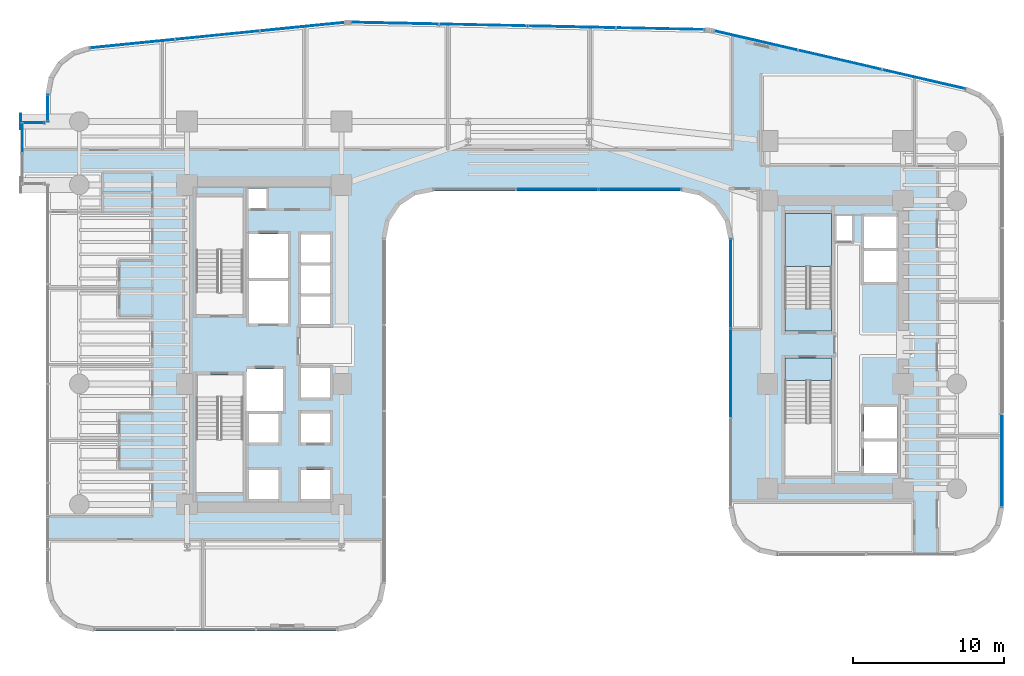
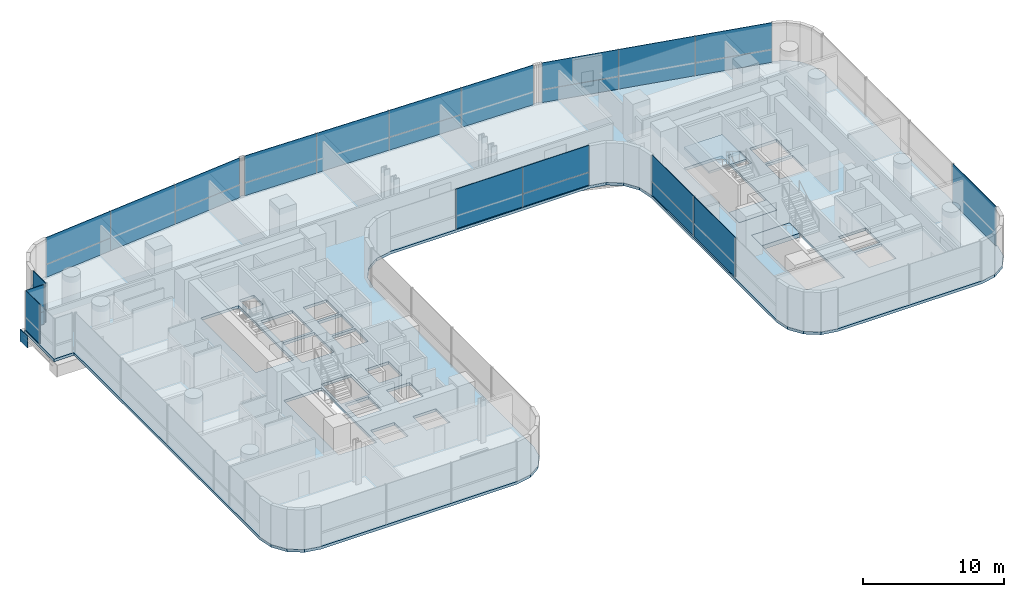
# One storey, part 30 of 40: 29 plates, 4 slabs, 10 elements without a shape of their own.
"""IFC4 building model written with IfcOpenShell, lengths in metres."""

from ifc_helpers import new_model, si_unit, direction, frame, origin, origin_2d, place, context, subcontext, project, spatial, polyline, rectangle, outline, extrude, source, transform, mapped, material, layer, layer_set, type_object, element, aggregate, save


model = new_model("IFC4")

# Units and contexts
model_context = context("Model", 3, precision=1e-05, world=origin(), true_north=direction((0.0, 1.0)))
body_context = subcontext(model_context, "Body", "Model", "MODEL_VIEW")
ifc_project = project(units=[si_unit("LENGTHUNIT", "METRE"), si_unit("AREAUNIT", "SQUARE_METRE"), si_unit("VOLUMEUNIT", "CUBIC_METRE"), si_unit("PLANEANGLEUNIT", "RADIAN"), si_unit("MASSUNIT", "GRAM", prefix="KILO")], contexts=[model_context])

# Site, building, storey
site_placement = place(None, origin())
site = spatial("IfcSite", under=ifc_project, at=site_placement, CompositionType="ELEMENT")
building_placement = place(site_placement, origin())
building = spatial("IfcBuilding", under=site, at=building_placement, Name="Valdorenza Pilgrim Sanctuary Tower", CompositionType="ELEMENT")
storey_placement = place(building_placement, frame((0.0, 0.0, 81.5)))
storey = spatial("IfcBuildingStorey", under=building, at=storey_placement, Name="L20", CompositionType="ELEMENT", Elevation=81.5)

# Slab
ifc_material_1 = material(Name="Concrete C40/50", Category="concrete")
ifc_layer_1 = layer(ifc_material_1, 0.239990234375, Name="Concrete C40/50")
ifc_layer_set_1 = layer_set([ifc_layer_1], Name="Concrete C40/50")
slab_type_1 = type_object("IfcSlabType", Name="SLAB-FLR-220", PredefinedType="FLOOR", material=ifc_layer_set_1)
slab_1_placement = place(storey_placement, frame((0.0, 0.0, -0.239990234375)))
element("IfcSlab", 1, at=slab_1_placement, inside=storey, type_object=slab_type_1, Name="L20 Structural Floor Slab 1", PredefinedType="FLOOR", context=body_context, shape_type="SweptSolid", body=[
    extrude(outline(polyline([(-31.785888671875, 17.754638671875), (-31.172607421875, 18.751220703125), (-30.241943359375, 19.460693359375), (-29.118408203125, 19.7880859375), (-12.192138671875, 21.480712890625), (-11.999755859375, 21.494140625), (-11.9033203125, 21.49658203125), (11.66943359375, 21.0068359375), (11.833984375, 20.999267578125), (11.997802734375, 20.983154296875), (12.160888671875, 20.95849609375), (12.322265625, 20.925537109375), (29.01953125, 17.072509765625), (30.00732421875, 16.660888671875), (30.80419921875, 15.946533203125), (31.321044921875, 15.009521484375), (31.5, 13.954345703125), (31.5, -10.800048828125), (31.25634765625, -12.024658203125), (30.562744140625, -13.062744140625), (29.524658203125, -13.75634765625), (28.300048828125, -14.0), (16.5, -14.0), (15.275390625, -13.75634765625), (14.2373046875, -13.062744140625), (13.543701171875, -12.024658203125), (13.300048828125, -10.800048828125), (13.300048828125, 7.0), (13.056396484375, 8.224609375), (12.36279296875, 9.2626953125), (11.32470703125, 9.956298828125), (10.10009765625, 10.199951171875), (-6.300048828125, 10.199951171875), (-7.524658203125, 9.956298828125), (-8.562744140625, 9.2626953125), (-9.25634765625, 8.224609375), (-9.5, 7.0), (-9.5, -15.800048828125), (-9.74365234375, -17.024658203125), (-10.437255859375, -18.062744140625), (-11.475341796875, -18.75634765625), (-12.699951171875, -19.0), (-28.800048828125, -19.0), (-30.024658203125, -18.75634765625), (-31.062744140625, -18.062744140625), (-31.75634765625, -17.024658203125), (-32.0, -15.800048828125), (-32.0, 10.60009765625), (-33.64990234375, 10.60009765625), (-33.64990234375, 14.800048828125), (-32.0, 14.800048828125), (-32.0, 16.60400390625), (-31.785888671875, 17.754638671875)]), holes=[polyline([(-16.60009765625, -10.25), (-16.60009765625, -8.300048828125), (-18.550048828125, -8.300048828125), (-18.550048828125, -10.25), (-16.60009765625, -10.25)]), polyline([(-22.050048828125, -9.800048828125), (-18.93994140625, -9.800048828125), (-18.93994140625, -3.485107421875), (-18.93994140625, -2.0), (-22.050048828125, -2.0), (-22.050048828125, -3.485107421875), (-22.050048828125, -9.800048828125)]), polyline([(-18.550048828125, -6.5), (-16.60009765625, -6.5), (-16.60009765625, -4.60009765625), (-18.550048828125, -4.60009765625), (-18.550048828125, -6.5)]), polyline([(-13.179931640625, -6.5), (-13.179931640625, -4.550048828125), (-15.10009765625, -4.550048828125), (-15.10009765625, -6.5), (-13.179931640625, -6.5)]), polyline([(-18.719970703125, -4.39990234375), (-16.300048828125, -4.39990234375), (-16.300048828125, -1.60009765625), (-18.719970703125, -1.60009765625), (-18.719970703125, -4.39990234375)]), polyline([(-13.179931640625, -3.5), (-13.179931640625, -1.550048828125), (-15.10009765625, -1.550048828125), (-15.10009765625, -3.5), (-13.179931640625, -3.5)]), polyline([(-22.050048828125, 2.0), (-18.93994140625, 2.0), (-18.93994140625, 3.485107421875), (-18.93994140625, 9.800048828125), (-22.050048828125, 9.800048828125), (-22.050048828125, 3.485107421875), (-22.050048828125, 2.0)]), polyline([(-18.550048828125, 1.39990234375), (-15.949951171875, 1.39990234375), (-15.949951171875, 4.22509765625), (-18.550048828125, 4.22509765625), (-18.550048828125, 1.39990234375)]), polyline([(-15.949951171875, 4.425048828125), (-15.949951171875, 7.35009765625), (-18.550048828125, 7.35009765625), (-18.550048828125, 4.425048828125), (-15.949951171875, 4.425048828125)]), polyline([(-15.10009765625, 5.449951171875), (-13.179931640625, 5.449951171875), (-13.179931640625, 7.300048828125), (-15.10009765625, 7.300048828125), (-15.10009765625, 5.449951171875)]), polyline([(-17.360107421875, 9.030029296875), (-17.360107421875, 10.35009765625), (-18.570068359375, 10.35009765625), (-18.570068359375, 9.030029296875), (-17.360107421875, 9.030029296875)]), polyline([(-15.10009765625, -10.25), (-13.179931640625, -10.25), (-13.179931640625, -8.300048828125), (-15.10009765625, -8.300048828125), (-15.10009765625, -10.25)]), polyline([(22.25, -8.5), (24.47998046875, -8.5), (24.47998046875, -6.425048828125), (22.25, -6.425048828125), (22.25, -8.5)]), polyline([(17.0, -2.385009765625), (17.0, -8.699951171875), (20.110107421875, -8.699951171875), (20.110107421875, -2.385009765625), (20.110107421875, -0.89990234375), (17.0, -0.89990234375), (17.0, -2.385009765625)]), polyline([(22.25, -6.22509765625), (24.47998046875, -6.22509765625), (24.47998046875, -4.14990234375), (22.25, -4.14990234375), (22.25, -6.22509765625)]), polyline([(17.0, 0.89990234375), (20.110107421875, 0.89990234375), (20.110107421875, 2.385009765625), (20.110107421875, 8.699951171875), (17.0, 8.699951171875), (17.0, 2.385009765625), (17.0, 0.89990234375)]), polyline([(-15.10009765625, 1.35009765625), (-13.179931640625, 1.35009765625), (-13.179931640625, 3.199951171875), (-15.10009765625, 3.199951171875), (-15.10009765625, 1.35009765625)]), polyline([(-15.10009765625, 3.39990234375), (-13.179931640625, 3.39990234375), (-13.179931640625, 5.25), (-15.10009765625, 5.25), (-15.10009765625, 3.39990234375)]), polyline([(22.25, 4.14990234375), (24.47998046875, 4.14990234375), (24.47998046875, 6.22509765625), (22.25, 6.22509765625), (22.25, 4.14990234375)]), polyline([(22.25, 6.425048828125), (24.47998046875, 6.425048828125), (24.47998046875, 8.5), (22.25, 8.5), (22.25, 6.425048828125)]), polyline([(20.409912109375, 6.860107421875), (21.489990234375, 6.860107421875), (21.489990234375, 8.52001953125), (20.409912109375, 8.52001953125), (20.409912109375, 6.860107421875)])]), origin(), (0.0, 0.0, 1.0), 0.239990234375),
])

# Stair, slab
stair_type = type_object("IfcStairType", Name="STR-DOG-CORE", PredefinedType="HALF_TURN_STAIR", material=ifc_material_1)
stair_placement = place(storey_placement, origin())
stair = element("IfcStair", 2, at=stair_placement, inside=storey, type_object=stair_type, Name="L20 ST-B1", PredefinedType="HALF_TURN_STAIR")
ifc_layer_2 = layer(ifc_material_1, 0.199951171875, Name="Concrete C40/50")
ifc_layer_set_2 = layer_set([ifc_layer_2], Name="Concrete C40/50")
slab_type_2 = type_object("IfcSlabType", Name="SLAB-STL-200", PredefinedType="LANDING", material=ifc_layer_set_2)
slab_2_placement = place(storey_placement, frame((0.0, 0.0, 1.64990234375)))
slab_2 = element("IfcSlab", 3, at=slab_2_placement, type_object=slab_type_2, Name="ST-B1 landing 1", PredefinedType="LANDING", context=body_context, shape_type="SweptSolid", body=[
    extrude(outline(polyline([(20.110107421875, 5.179931640625), (20.110107421875, 8.699951171875), (17.0, 8.699951171875), (17.0, 5.179931640625), (20.110107421875, 5.179931640625)])), origin(), (0.0, 0.0, 1.0), 0.2001953125),
])
aggregate(stair, [slab_2])

# Slabs
ifc_material_2 = material(Name="Concrete C50/60", Category="concrete")
ifc_layer_3 = layer(ifc_material_2, 0.39990234375, Name="Concrete C50/60")
ifc_layer_set_3 = layer_set([ifc_layer_3], Name="Concrete C50/60")
slab_type_3 = type_object("IfcSlabType", Name="SLAB-TRF-400", PredefinedType="FLOOR", material=ifc_layer_set_3)
slab_3_placement = place(storey_placement, frame((0.0, 0.0, -0.360107421875)))
element("IfcSlab", 4, at=slab_3_placement, inside=storey, type_object=slab_type_3, Name="L20 ST-B1 Structural Stair Landing Bearing Slab", PredefinedType="FLOOR", context=body_context, shape_type="SweptSolid", body=[
    extrude(outline(polyline([(17.0, 0.89990234375), (20.110107421875, 0.89990234375), (20.110107421875, 2.385009765625), (17.0, 2.385009765625), (17.0, 0.89990234375)])), origin(), (0.0, 0.0, 1.0), 0.360107421875),
])
slab_4_placement = place(storey_placement, frame((0.0, 0.0, -0.360107421875)))
element("IfcSlab", 5, at=slab_4_placement, inside=storey, type_object=slab_type_3, Name="L20 ST-B2 Structural Stair Landing Bearing Slab", PredefinedType="FLOOR", context=body_context, shape_type="SweptSolid", body=[
    extrude(outline(polyline([(17.0, -2.385009765625), (20.110107421875, -2.385009765625), (20.110107421875, -0.89990234375), (17.0, -0.89990234375), (17.0, -2.385009765625)])), origin(), (0.0, 0.0, 1.0), 0.360107421875),
])

# Plate
ifc_material_3 = material(Name="Steel ASTM A572 Grade 42", Category="steel")
ifc_layer_4 = layer(ifc_material_3, 0.06005859375, Name="Steel ASTM A572 Grade 42")
ifc_layer_set_4 = layer_set([ifc_layer_4], Name="Steel ASTM A572 Grade 42")
plate_type_1 = type_object("IfcPlateType", Name="PLT-CAP-60", PredefinedType="SHEET", material=ifc_layer_set_4)
shared_shape_1 = source(origin(), body_context, "Body", "SweptSolid", [
    extrude(rectangle(XDim=0.06005859375, YDim=1.0400390625, at=origin_2d()), origin(), (0.0, 0.0, 1.0), 1.0400390625),
])
plate_1_placement = place(storey_placement, frame((-33.679931640625, 14.800048828125, -1.260009765625), z_axis=(0.0, 0.0, 1.0), x_axis=(1.0, 0.0, 0.0)))
element("IfcPlate", 6, at=plate_1_placement, inside=storey, type_object=plate_type_1, Name="L20 BOX-WA-L20 Cantilever Tip End Cap N", PredefinedType="SHEET", context=body_context, shape_type="MappedRepresentation", body=[
    mapped(shared_shape_1, transform((0.0, 0.0, 0.0), x_axis=(1.0, 0.0, 0.0), y_axis=(0.0, 1.0, 0.0), z_axis=(0.0, 0.0, 1.0), scale=1.0)),
])

# Curtain wall, plates
ifc_material_4 = material(Name="Curtain-wall IGU glazing", Category="glass")
curtain_wall_type_1 = type_object("IfcCurtainWallType", Name="CW-SYS-02", PredefinedType="NOTDEFINED", material=ifc_material_4)
curtain_wall_1_placement = place(storey_placement, origin())
curtain_wall_1 = element("IfcCurtainWall", 7, at=curtain_wall_1_placement, inside=storey, type_object=curtain_wall_type_1, Name="L20 Curtain Wall CW-L20-1-6", PredefinedType="NOTDEFINED")
ifc_material_5 = material(Name="Honed travertine limestone", Category="masonry")
ifc_layer_5 = layer(ifc_material_5, 0.050048828125, Name="Honed travertine limestone")
ifc_layer_set_5 = layer_set([ifc_layer_5], Name="Honed travertine limestone")
plate_type_2 = type_object("IfcPlateType", Name="CW-SPN-TRV", PredefinedType="USERDEFINED", material=ifc_layer_set_5)
shared_shape_2 = source(origin(), body_context, "Body", "SweptSolid", [
    extrude(rectangle(XDim=5.646484375, YDim=0.06005859375, at=origin_2d()), origin(), (0.0, 0.0, 1.0), 1.10009765625),
])
plate_2_placement = place(storey_placement, frame((-26.2783203125, 19.961669921875, 0.010009765625), z_axis=(0.0, 0.0, 1.0), x_axis=(0.995038220239, 0.099493418189, 0.0)))
plate_2 = element("IfcPlate", 8, at=plate_2_placement, type_object=plate_type_2, Name="CW-L20-1-6 Travertine Spandrel 1", ObjectType="SPANDREL", PredefinedType="USERDEFINED", context=body_context, shape_type="MappedRepresentation", body=[
    mapped(shared_shape_2, transform((0.0, 0.0, 0.0), x_axis=(1.0, 0.0, 0.0), y_axis=(0.0, 1.0, 0.0), z_axis=(0.0, 0.0, 1.0), scale=1.0)),
])
plate_3_placement = place(storey_placement, frame((-15.001220703125, 21.08935546875, 0.010009765625), z_axis=(0.0, 0.0, 1.0), x_axis=(0.995038220239, 0.099493418189, 0.0)))
plate_3 = element("IfcPlate", 9, at=plate_3_placement, type_object=plate_type_2, Name="CW-L20-1-6 Travertine Spandrel 3", ObjectType="SPANDREL", PredefinedType="USERDEFINED", context=body_context, shape_type="MappedRepresentation", body=[
    mapped(shared_shape_2, transform((0.0, 0.0, 0.0), x_axis=(1.0, 0.0, 0.0), y_axis=(0.0, 1.0, 0.0), z_axis=(0.0, 0.0, 1.0), scale=1.0)),
])
ifc_material_6 = material(Name="Ceramic-fritted low-E IGU glazing", Category="glass")
ifc_layer_6 = layer(ifc_material_6, 0.035888671875, Name="Ceramic-fritted low-E IGU glazing")
ifc_layer_set_6 = layer_set([ifc_layer_6], Name="Ceramic-fritted low-E IGU glazing")
plate_type_3 = type_object("IfcPlateType", Name="CW-GLZ-IGU", PredefinedType="USERDEFINED", material=ifc_layer_set_6)
shared_shape_3 = source(origin(), body_context, "Body", "SweptSolid", [
    extrude(rectangle(XDim=5.646484375, YDim=0.050048828125, at=origin_2d()), origin(), (0.0, 0.0, 1.0), 2.320068359375),
])
plate_4_placement = place(storey_placement, frame((-26.2783203125, 19.961669921875, 1.1298828125), z_axis=(0.0, 0.0, 1.0), x_axis=(0.995038220239, 0.099493418189, 0.0)))
plate_4 = element("IfcPlate", 10, at=plate_4_placement, type_object=plate_type_3, Name="CW-L20-1-6 Facade Panel 1", ObjectType="GLAZING", PredefinedType="USERDEFINED", context=body_context, shape_type="MappedRepresentation", body=[
    mapped(shared_shape_3, transform((0.0, 0.0, 0.0), x_axis=(1.0, 0.0, 0.0), y_axis=(0.0, 1.0, 0.0), z_axis=(0.0, 0.0, 1.0), scale=1.0)),
])
plate_5_placement = place(storey_placement, frame((-15.001220703125, 21.08935546875, 1.1298828125), z_axis=(0.0, 0.0, 1.0), x_axis=(0.995038220239, 0.099493418189, 0.0)))
plate_5 = element("IfcPlate", 11, at=plate_5_placement, type_object=plate_type_3, Name="CW-L20-1-6 Facade Panel 3", ObjectType="GLAZING", PredefinedType="USERDEFINED", context=body_context, shape_type="MappedRepresentation", body=[
    mapped(shared_shape_3, transform((0.0, 0.0, 0.0), x_axis=(1.0, 0.0, 0.0), y_axis=(0.0, 1.0, 0.0), z_axis=(0.0, 0.0, 1.0), scale=1.0)),
])
shared_shape_4 = source(origin(), body_context, "Body", "SweptSolid", [
    extrude(rectangle(XDim=5.646484375, YDim=0.050048828125, at=origin_2d()), origin(), (0.0, 0.0, 1.0), 3.43994140625),
])
plate_6_placement = place(storey_placement, frame((-20.6396484375, 20.525634765625, 0.010009765625), z_axis=(0.0, 0.0, 1.0), x_axis=(0.995038220239, 0.099493418189, 0.0)))
plate_6 = element("IfcPlate", 12, at=plate_6_placement, type_object=plate_type_3, Name="CW-L20-1-6 Full-Height Facade Panel 2", ObjectType="GLAZING", PredefinedType="USERDEFINED", context=body_context, shape_type="MappedRepresentation", body=[
    mapped(shared_shape_4, transform((0.0, 0.0, 0.0), x_axis=(1.0, 0.0, 0.0), y_axis=(0.0, 1.0, 0.0), z_axis=(0.0, 0.0, 1.0), scale=1.0)),
])
aggregate(curtain_wall_1, [plate_2, plate_4, plate_6, plate_3, plate_5])

curtain_wall_2_placement = place(storey_placement, origin())
curtain_wall_2 = element("IfcCurtainWall", 13, at=curtain_wall_2_placement, inside=storey, type_object=curtain_wall_type_1, Name="L20 Curtain Wall CW-L20-1-11", PredefinedType="NOTDEFINED")
shared_shape_5 = source(origin(), body_context, "Body", "SweptSolid", [
    extrude(rectangle(XDim=5.849853515625, YDim=0.06005859375, at=origin_2d()), origin(), (0.0, 0.0, 1.0), 1.10009765625),
])
plate_7_placement = place(storey_placement, frame((-8.8740234375, 21.324951171875, 0.010009765625), z_axis=(0.0, 0.0, 1.0), x_axis=(0.999783234613, -0.020820273474, 0.0)))
plate_7 = element("IfcPlate", 14, at=plate_7_placement, type_object=plate_type_2, Name="CW-L20-1-11 Travertine Spandrel 1", ObjectType="SPANDREL", PredefinedType="USERDEFINED", context=body_context, shape_type="MappedRepresentation", body=[
    mapped(shared_shape_5, transform((0.0, 0.0, 0.0), x_axis=(1.0, 0.0, 0.0), y_axis=(0.0, 1.0, 0.0), z_axis=(0.0, 0.0, 1.0), scale=1.0)),
])
plate_8_placement = place(storey_placement, frame((2.86279296875, 21.080322265625, 0.010009765625), z_axis=(0.0, 0.0, 1.0), x_axis=(0.999783234613, -0.020820273474, 0.0)))
plate_8 = element("IfcPlate", 15, at=plate_8_placement, type_object=plate_type_2, Name="CW-L20-1-11 Travertine Spandrel 3", ObjectType="SPANDREL", PredefinedType="USERDEFINED", context=body_context, shape_type="MappedRepresentation", body=[
    mapped(shared_shape_5, transform((0.0, 0.0, 0.0), x_axis=(1.0, 0.0, 0.0), y_axis=(0.0, 1.0, 0.0), z_axis=(0.0, 0.0, 1.0), scale=1.0)),
])
shared_shape_6 = source(origin(), body_context, "Body", "SweptSolid", [
    extrude(rectangle(XDim=5.849853515625, YDim=0.050048828125, at=origin_2d()), origin(), (0.0, 0.0, 1.0), 2.320068359375),
])
plate_9_placement = place(storey_placement, frame((-8.8740234375, 21.324951171875, 1.1298828125), z_axis=(0.0, 0.0, 1.0), x_axis=(0.999783234613, -0.020820273474, 0.0)))
plate_9 = element("IfcPlate", 16, at=plate_9_placement, type_object=plate_type_3, Name="CW-L20-1-11 Facade Panel 1", ObjectType="GLAZING", PredefinedType="USERDEFINED", context=body_context, shape_type="MappedRepresentation", body=[
    mapped(shared_shape_6, transform((0.0, 0.0, 0.0), x_axis=(1.0, 0.0, 0.0), y_axis=(0.0, 1.0, 0.0), z_axis=(0.0, 0.0, 1.0), scale=1.0)),
])
plate_10_placement = place(storey_placement, frame((2.86279296875, 21.080322265625, 1.1298828125), z_axis=(0.0, 0.0, 1.0), x_axis=(0.999783234613, -0.020820273474, 0.0)))
plate_10 = element("IfcPlate", 17, at=plate_10_placement, type_object=plate_type_3, Name="CW-L20-1-11 Facade Panel 3", ObjectType="GLAZING", PredefinedType="USERDEFINED", context=body_context, shape_type="MappedRepresentation", body=[
    mapped(shared_shape_6, transform((0.0, 0.0, 0.0), x_axis=(1.0, 0.0, 0.0), y_axis=(0.0, 1.0, 0.0), z_axis=(0.0, 0.0, 1.0), scale=1.0)),
])
shared_shape_7 = source(origin(), body_context, "Body", "SweptSolid", [
    extrude(rectangle(XDim=5.849853515625, YDim=0.050048828125, at=origin_2d()), origin(), (0.0, 0.0, 1.0), 3.43994140625),
])
plate_11_placement = place(storey_placement, frame((-3.005615234375, 21.20263671875, 0.010009765625), z_axis=(0.0, 0.0, 1.0), x_axis=(0.999783234613, -0.020820273474, 0.0)))
plate_11 = element("IfcPlate", 18, at=plate_11_placement, type_object=plate_type_3, Name="CW-L20-1-11 Full-Height Facade Panel 2", ObjectType="GLAZING", PredefinedType="USERDEFINED", context=body_context, shape_type="MappedRepresentation", body=[
    mapped(shared_shape_7, transform((0.0, 0.0, 0.0), x_axis=(1.0, 0.0, 0.0), y_axis=(0.0, 1.0, 0.0), z_axis=(0.0, 0.0, 1.0), scale=1.0)),
])
plate_12_placement = place(storey_placement, frame((8.7314453125, 20.9580078125, 0.010009765625), z_axis=(0.0, 0.0, 1.0), x_axis=(0.999783234613, -0.020820273474, 0.0)))
plate_12 = element("IfcPlate", 19, at=plate_12_placement, type_object=plate_type_3, Name="CW-L20-1-11 Full-Height Facade Panel 4", ObjectType="GLAZING", PredefinedType="USERDEFINED", context=body_context, shape_type="MappedRepresentation", body=[
    mapped(shared_shape_7, transform((0.0, 0.0, 0.0), x_axis=(1.0, 0.0, 0.0), y_axis=(0.0, 1.0, 0.0), z_axis=(0.0, 0.0, 1.0), scale=1.0)),
])
aggregate(curtain_wall_2, [plate_7, plate_9, plate_11, plate_8, plate_10, plate_12])

curtain_wall_type_2 = type_object("IfcCurtainWallType", Name="CW-SYS-03", PredefinedType="NOTDEFINED", material=ifc_material_4)
curtain_wall_3_placement = place(storey_placement, origin())
curtain_wall_3 = element("IfcCurtainWall", 20, at=curtain_wall_3_placement, inside=storey, type_object=curtain_wall_type_2, Name="L20 Curtain Wall CW-L20-1-16", PredefinedType="NOTDEFINED")
shared_shape_8 = source(origin(), body_context, "Body", "SweptSolid", [
    extrude(rectangle(XDim=5.6884765625, YDim=0.06005859375, at=origin_2d()), origin(), (0.0, 0.0, 1.0), 1.10009765625),
])
plate_13_placement = place(storey_placement, frame((15.080078125, 20.17626953125, 0.010009765625), z_axis=(0.0, 0.0, 1.0), x_axis=(0.974389691758, -0.224866023659, 0.0)))
plate_13 = element("IfcPlate", 21, at=plate_13_placement, type_object=plate_type_2, Name="CW-L20-1-16 Travertine Spandrel 1", ObjectType="SPANDREL", PredefinedType="USERDEFINED", context=body_context, shape_type="MappedRepresentation", body=[
    mapped(shared_shape_8, transform((0.0, 0.0, 0.0), x_axis=(1.0, 0.0, 0.0), y_axis=(0.0, 1.0, 0.0), z_axis=(0.0, 0.0, 1.0), scale=1.0)),
])
plate_14_placement = place(storey_placement, frame((26.20458984375, 17.609130859375, 0.010009765625), z_axis=(0.0, 0.0, 1.0), x_axis=(0.974389691758, -0.224866023659, 0.0)))
plate_14 = element("IfcPlate", 22, at=plate_14_placement, type_object=plate_type_2, Name="CW-L20-1-16 Travertine Spandrel 3", ObjectType="SPANDREL", PredefinedType="USERDEFINED", context=body_context, shape_type="MappedRepresentation", body=[
    mapped(shared_shape_8, transform((0.0, 0.0, 0.0), x_axis=(1.0, 0.0, 0.0), y_axis=(0.0, 1.0, 0.0), z_axis=(0.0, 0.0, 1.0), scale=1.0)),
])
shared_shape_9 = source(origin(), body_context, "Body", "SweptSolid", [
    extrude(rectangle(XDim=5.6884765625, YDim=0.050048828125, at=origin_2d()), origin(), (0.0, 0.0, 1.0), 2.320068359375),
])
plate_15_placement = place(storey_placement, frame((15.080078125, 20.17626953125, 1.1298828125), z_axis=(0.0, 0.0, 1.0), x_axis=(0.974389691758, -0.224866023659, 0.0)))
plate_15 = element("IfcPlate", 23, at=plate_15_placement, type_object=plate_type_3, Name="CW-L20-1-16 Facade Panel 1", ObjectType="GLAZING", PredefinedType="USERDEFINED", context=body_context, shape_type="MappedRepresentation", body=[
    mapped(shared_shape_9, transform((0.0, 0.0, 0.0), x_axis=(1.0, 0.0, 0.0), y_axis=(0.0, 1.0, 0.0), z_axis=(0.0, 0.0, 1.0), scale=1.0)),
])
plate_16_placement = place(storey_placement, frame((26.20458984375, 17.609130859375, 1.1298828125), z_axis=(0.0, 0.0, 1.0), x_axis=(0.974389691758, -0.224866023659, 0.0)))
plate_16 = element("IfcPlate", 24, at=plate_16_placement, type_object=plate_type_3, Name="CW-L20-1-16 Facade Panel 3", ObjectType="GLAZING", PredefinedType="USERDEFINED", context=body_context, shape_type="MappedRepresentation", body=[
    mapped(shared_shape_9, transform((0.0, 0.0, 0.0), x_axis=(1.0, 0.0, 0.0), y_axis=(0.0, 1.0, 0.0), z_axis=(0.0, 0.0, 1.0), scale=1.0)),
])
shared_shape_10 = source(origin(), body_context, "Body", "SweptSolid", [
    extrude(rectangle(XDim=5.6884765625, YDim=0.050048828125, at=origin_2d()), origin(), (0.0, 0.0, 1.0), 3.43994140625),
])
plate_17_placement = place(storey_placement, frame((20.642333984375, 18.892578125, 0.010009765625), z_axis=(0.0, 0.0, 1.0), x_axis=(0.974389691758, -0.224866023659, 0.0)))
plate_17 = element("IfcPlate", 25, at=plate_17_placement, type_object=plate_type_3, Name="CW-L20-1-16 Full-Height Facade Panel 2", ObjectType="GLAZING", PredefinedType="USERDEFINED", context=body_context, shape_type="MappedRepresentation", body=[
    mapped(shared_shape_10, transform((0.0, 0.0, 0.0), x_axis=(1.0, 0.0, 0.0), y_axis=(0.0, 1.0, 0.0), z_axis=(0.0, 0.0, 1.0), scale=1.0)),
])
aggregate(curtain_wall_3, [plate_13, plate_15, plate_17, plate_14, plate_16])

# Curtain wall, plate
curtain_wall_4_placement = place(storey_placement, origin())
curtain_wall_4 = element("IfcCurtainWall", 26, at=curtain_wall_4_placement, inside=storey, type_object=curtain_wall_type_2, Name="L20 Curtain Wall CW-L20-1-21", PredefinedType="NOTDEFINED")
shared_shape_11 = source(origin(), body_context, "Body", "SweptSolid", [
    extrude(rectangle(XDim=6.16357421875, YDim=0.050048828125, at=origin_2d()), origin(), (0.0, 0.0, 1.0), 3.43994140625),
])
plate_18_placement = place(storey_placement, frame((31.389892578125, -7.697509765625, 0.010009765625), z_axis=(0.0, 0.0, 1.0), x_axis=(0.0, -1.0, 0.0)))
plate_18 = element("IfcPlate", 27, at=plate_18_placement, type_object=plate_type_3, Name="CW-L20-1-21 Full-Height Facade Panel 4", ObjectType="GLAZING", PredefinedType="USERDEFINED", context=body_context, shape_type="MappedRepresentation", body=[
    mapped(shared_shape_11, transform((0.0, 0.0, 0.0), x_axis=(1.0, 0.0, 0.0), y_axis=(0.0, 1.0, 0.0), z_axis=(0.0, 0.0, 1.0), scale=1.0)),
])
aggregate(curtain_wall_4, [plate_18])

# Curtain wall, plates
curtain_wall_5_placement = place(storey_placement, origin())
curtain_wall_5 = element("IfcCurtainWall", 28, at=curtain_wall_5_placement, inside=storey, type_object=curtain_wall_type_2, Name="L20 Curtain Wall CW-L20-1-31", PredefinedType="NOTDEFINED")
shared_shape_12 = source(origin(), body_context, "Body", "SweptSolid", [
    extrude(rectangle(XDim=5.913330078125, YDim=0.06005859375, at=origin_2d()), origin(), (0.0, 0.0, 1.0), 1.10009765625),
])
plate_19_placement = place(storey_placement, frame((13.409912109375, 4.044189453125, 0.010009765625), z_axis=(0.0, 0.0, 1.0), x_axis=(0.0, 1.0, 0.0)))
plate_19 = element("IfcPlate", 29, at=plate_19_placement, type_object=plate_type_2, Name="CW-L20-1-31 Travertine Spandrel 3", ObjectType="SPANDREL", PredefinedType="USERDEFINED", context=body_context, shape_type="MappedRepresentation", body=[
    mapped(shared_shape_12, transform((0.0, 0.0, 0.0), x_axis=(1.0, 0.0, 0.0), y_axis=(0.0, 1.0, 0.0), z_axis=(0.0, 0.0, 1.0), scale=1.0)),
])
shared_shape_13 = source(origin(), body_context, "Body", "SweptSolid", [
    extrude(rectangle(XDim=5.913330078125, YDim=0.050048828125, at=origin_2d()), origin(), (0.0, 0.0, 1.0), 2.320068359375),
])
plate_20_placement = place(storey_placement, frame((13.409912109375, 4.044189453125, 1.1298828125), z_axis=(0.0, 0.0, 1.0), x_axis=(0.0, 1.0, 0.0)))
plate_20 = element("IfcPlate", 30, at=plate_20_placement, type_object=plate_type_3, Name="CW-L20-1-31 Facade Panel 3", ObjectType="GLAZING", PredefinedType="USERDEFINED", context=body_context, shape_type="MappedRepresentation", body=[
    mapped(shared_shape_13, transform((0.0, 0.0, 0.0), x_axis=(1.0, 0.0, 0.0), y_axis=(0.0, 1.0, 0.0), z_axis=(0.0, 0.0, 1.0), scale=1.0)),
])
shared_shape_14 = source(origin(), body_context, "Body", "SweptSolid", [
    extrude(rectangle(XDim=5.913330078125, YDim=0.050048828125, at=origin_2d()), origin(), (0.0, 0.0, 1.0), 3.43994140625),
])
plate_21_placement = place(storey_placement, frame((13.409912109375, -1.88916015625, 0.010009765625), z_axis=(0.0, 0.0, 1.0), x_axis=(0.0, 1.0, 0.0)))
plate_21 = element("IfcPlate", 31, at=plate_21_placement, type_object=plate_type_3, Name="CW-L20-1-31 Full-Height Facade Panel 2", ObjectType="GLAZING", PredefinedType="USERDEFINED", context=body_context, shape_type="MappedRepresentation", body=[
    mapped(shared_shape_14, transform((0.0, 0.0, 0.0), x_axis=(1.0, 0.0, 0.0), y_axis=(0.0, 1.0, 0.0), z_axis=(0.0, 0.0, 1.0), scale=1.0)),
])
aggregate(curtain_wall_5, [plate_21, plate_19, plate_20])

curtain_wall_6_placement = place(storey_placement, origin())
curtain_wall_6 = element("IfcCurtainWall", 32, at=curtain_wall_6_placement, inside=storey, type_object=curtain_wall_type_1, Name="L20 Curtain Wall CW-L20-1-36", PredefinedType="NOTDEFINED")
shared_shape_15 = source(origin(), body_context, "Body", "SweptSolid", [
    extrude(rectangle(XDim=5.453857421875, YDim=0.06005859375, at=origin_2d()), origin(), (0.0, 0.0, 1.0), 1.10009765625),
])
plate_22_placement = place(storey_placement, frame((7.373779296875, 10.31005859375, 0.010009765625), z_axis=(0.0, 0.0, 1.0), x_axis=(-1.0, 0.0, 0.0)))
plate_22 = element("IfcPlate", 33, at=plate_22_placement, type_object=plate_type_2, Name="CW-L20-1-36 Travertine Spandrel 1", ObjectType="SPANDREL", PredefinedType="USERDEFINED", context=body_context, shape_type="MappedRepresentation", body=[
    mapped(shared_shape_15, transform((0.0, 0.0, 0.0), x_axis=(1.0, 0.0, 0.0), y_axis=(0.0, 1.0, 0.0), z_axis=(0.0, 0.0, 1.0), scale=1.0)),
])
shared_shape_16 = source(origin(), body_context, "Body", "SweptSolid", [
    extrude(rectangle(XDim=5.453857421875, YDim=0.050048828125, at=origin_2d()), origin(), (0.0, 0.0, 1.0), 2.320068359375),
])
plate_23_placement = place(storey_placement, frame((7.373779296875, 10.31005859375, 1.1298828125), z_axis=(0.0, 0.0, 1.0), x_axis=(-1.0, 0.0, 0.0)))
plate_23 = element("IfcPlate", 34, at=plate_23_placement, type_object=plate_type_3, Name="CW-L20-1-36 Facade Panel 1", ObjectType="GLAZING", PredefinedType="USERDEFINED", context=body_context, shape_type="MappedRepresentation", body=[
    mapped(shared_shape_16, transform((0.0, 0.0, 0.0), x_axis=(1.0, 0.0, 0.0), y_axis=(0.0, 1.0, 0.0), z_axis=(0.0, 0.0, 1.0), scale=1.0)),
])
shared_shape_17 = source(origin(), body_context, "Body", "SweptSolid", [
    extrude(rectangle(XDim=5.453857421875, YDim=0.050048828125, at=origin_2d()), origin(), (0.0, 0.0, 1.0), 3.43994140625),
])
plate_24_placement = place(storey_placement, frame((1.89990234375, 10.31005859375, 0.010009765625), z_axis=(0.0, 0.0, 1.0), x_axis=(-1.0, 0.0, 0.0)))
plate_24 = element("IfcPlate", 35, at=plate_24_placement, type_object=plate_type_3, Name="CW-L20-1-36 Full-Height Facade Panel 2", ObjectType="GLAZING", PredefinedType="USERDEFINED", context=body_context, shape_type="MappedRepresentation", body=[
    mapped(shared_shape_17, transform((0.0, 0.0, 0.0), x_axis=(1.0, 0.0, 0.0), y_axis=(0.0, 1.0, 0.0), z_axis=(0.0, 0.0, 1.0), scale=1.0)),
])
aggregate(curtain_wall_6, [plate_22, plate_23, plate_24])

curtain_wall_7_placement = place(storey_placement, origin())
curtain_wall_7 = element("IfcCurtainWall", 36, at=curtain_wall_7_placement, inside=storey, type_object=curtain_wall_type_1, Name="L20 Curtain Wall CW-L20-BOX-WA-L20-N", PredefinedType="NOTDEFINED")
shared_shape_18 = source(origin(), body_context, "Body", "SweptSolid", [
    extrude(rectangle(XDim=1.43994140625, YDim=0.06005859375, at=origin_2d()), origin(), (0.0, 0.0, 1.0), 1.10009765625),
])
plate_25_placement = place(storey_placement, frame((-32.840087890625, 14.719970703125, 0.010009765625), z_axis=(0.0, 0.0, 1.0), x_axis=(1.0, 0.0, 0.0)))
plate_25 = element("IfcPlate", 37, at=plate_25_placement, type_object=plate_type_2, Name="CW-L20-BOX-WA-L20-N Travertine Spandrel 1", ObjectType="SPANDREL", PredefinedType="USERDEFINED", context=body_context, shape_type="MappedRepresentation", body=[
    mapped(shared_shape_18, transform((0.0, 0.0, 0.0), x_axis=(1.0, 0.0, 0.0), y_axis=(0.0, 1.0, 0.0), z_axis=(0.0, 0.0, 1.0), scale=1.0)),
])
shared_shape_19 = source(origin(), body_context, "Body", "SweptSolid", [
    extrude(rectangle(XDim=1.43994140625, YDim=0.050048828125, at=origin_2d()), origin(), (0.0, 0.0, 1.0), 2.320068359375),
])
plate_26_placement = place(storey_placement, frame((-32.840087890625, 14.719970703125, 1.1298828125), z_axis=(0.0, 0.0, 1.0), x_axis=(1.0, 0.0, 0.0)))
plate_26 = element("IfcPlate", 38, at=plate_26_placement, type_object=plate_type_3, Name="CW-L20-BOX-WA-L20-N Facade Panel 1", ObjectType="GLAZING", PredefinedType="USERDEFINED", context=body_context, shape_type="MappedRepresentation", body=[
    mapped(shared_shape_19, transform((0.0, 0.0, 0.0), x_axis=(1.0, 0.0, 0.0), y_axis=(0.0, 1.0, 0.0), z_axis=(0.0, 0.0, 1.0), scale=1.0)),
])
aggregate(curtain_wall_7, [plate_25, plate_26])

curtain_wall_8_placement = place(storey_placement, origin())
curtain_wall_8 = element("IfcCurtainWall", 39, at=curtain_wall_8_placement, inside=storey, type_object=curtain_wall_type_1, Name="L20 Curtain Wall CW-L20-1-1S2", PredefinedType="NOTDEFINED")
shared_shape_20 = source(origin(), body_context, "Body", "SweptSolid", [
    extrude(rectangle(XDim=1.77392578125, YDim=0.06005859375, at=origin_2d()), origin(), (0.0, 0.0, 1.0), 1.10009765625),
])
plate_27_placement = place(storey_placement, frame((-31.889892578125, 15.697021484375, 0.010009765625), z_axis=(0.0, 0.0, 1.0), x_axis=(0.0, 1.0, 0.0)))
plate_27 = element("IfcPlate", 40, at=plate_27_placement, type_object=plate_type_2, Name="CW-L20-1-1S2 Travertine Spandrel 1", ObjectType="SPANDREL", PredefinedType="USERDEFINED", context=body_context, shape_type="MappedRepresentation", body=[
    mapped(shared_shape_20, transform((0.0, 0.0, 0.0), x_axis=(1.0, 0.0, 0.0), y_axis=(0.0, 1.0, 0.0), z_axis=(0.0, 0.0, 1.0), scale=1.0)),
])
shared_shape_21 = source(origin(), body_context, "Body", "SweptSolid", [
    extrude(rectangle(XDim=1.77392578125, YDim=0.050048828125, at=origin_2d()), origin(), (0.0, 0.0, 1.0), 2.320068359375),
])
plate_28_placement = place(storey_placement, frame((-31.889892578125, 15.697021484375, 1.1298828125), z_axis=(0.0, 0.0, 1.0), x_axis=(0.0, 1.0, 0.0)))
plate_28 = element("IfcPlate", 41, at=plate_28_placement, type_object=plate_type_3, Name="CW-L20-1-1S2 Facade Panel 1", ObjectType="GLAZING", PredefinedType="USERDEFINED", context=body_context, shape_type="MappedRepresentation", body=[
    mapped(shared_shape_21, transform((0.0, 0.0, 0.0), x_axis=(1.0, 0.0, 0.0), y_axis=(0.0, 1.0, 0.0), z_axis=(0.0, 0.0, 1.0), scale=1.0)),
])
aggregate(curtain_wall_8, [plate_27, plate_28])

# Curtain wall, plate
curtain_wall_9_placement = place(storey_placement, origin())
curtain_wall_9 = element("IfcCurtainWall", 42, at=curtain_wall_9_placement, inside=storey, type_object=curtain_wall_type_1, Name="L20 Curtain Wall CW-L20-BOX-WA-L20-F", PredefinedType="NOTDEFINED")
shared_shape_22 = source(origin(), body_context, "Body", "SweptSolid", [
    extrude(rectangle(XDim=2.0, YDim=0.050048828125, at=origin_2d()), origin(), (0.0, 0.0, 1.0), 3.43994140625),
])
plate_29_placement = place(storey_placement, frame((-33.570068359375, 13.7099609375, 0.010009765625), z_axis=(0.0, 0.0, 1.0), x_axis=(0.0, 1.0, 0.0)))
plate_29 = element("IfcPlate", 43, at=plate_29_placement, type_object=plate_type_3, Name="CW-L20-BOX-WA-L20-F Full-Height Facade Panel 2", ObjectType="GLAZING", PredefinedType="USERDEFINED", context=body_context, shape_type="MappedRepresentation", body=[
    mapped(shared_shape_22, transform((0.0, 0.0, 0.0), x_axis=(1.0, 0.0, 0.0), y_axis=(0.0, 1.0, 0.0), z_axis=(0.0, 0.0, 1.0), scale=1.0)),
])
aggregate(curtain_wall_9, [plate_29])

save(model, "model.ifc")
